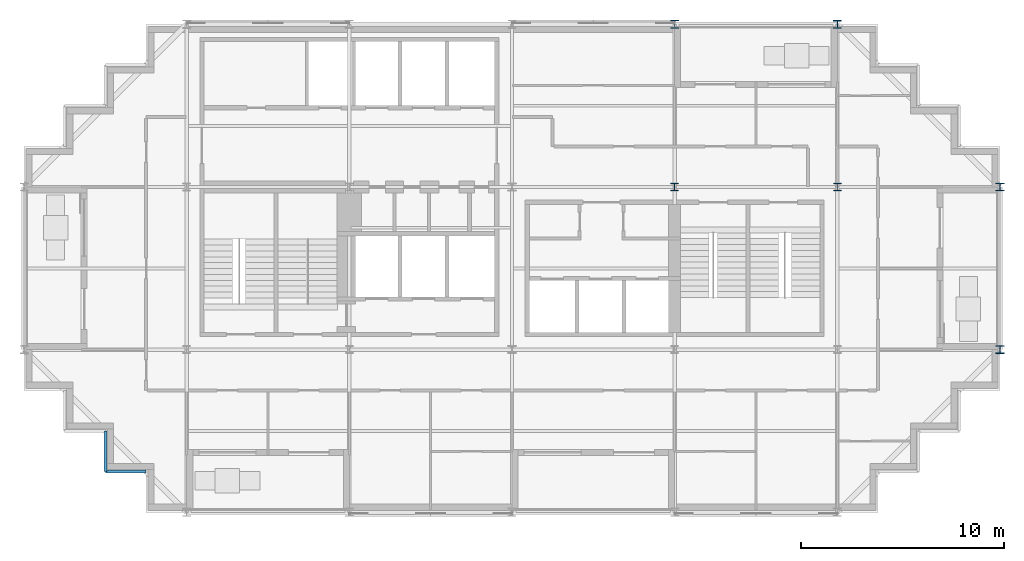
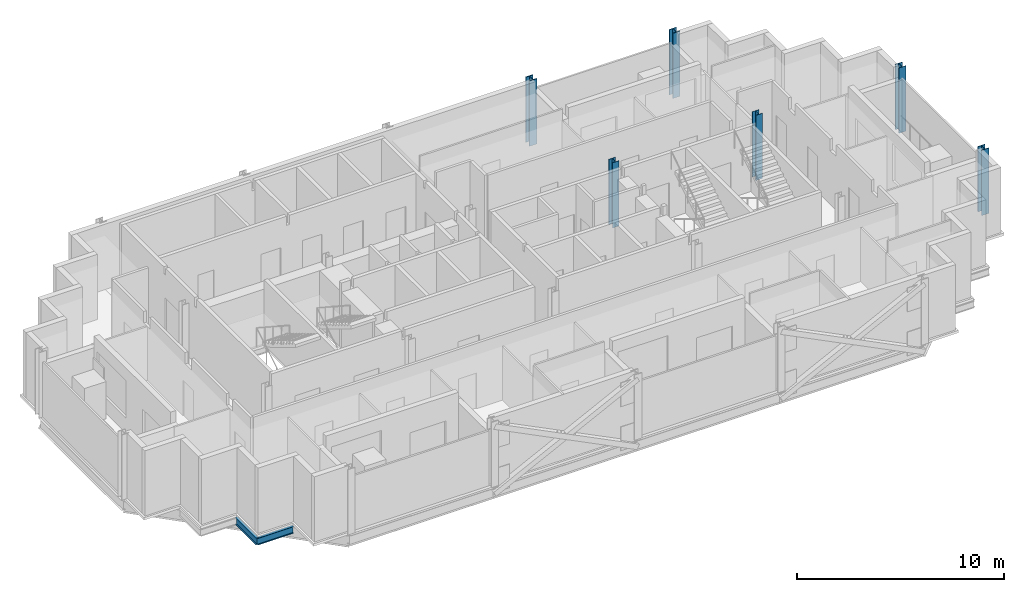
# One storey, part 2 of 10: 6 columns, 2 beams.
"""IFC4 building model written with IfcOpenShell, lengths in metres."""

from ifc_helpers import new_model, si_unit, direction, frame, origin, origin_2d, place, context, subcontext, project, spatial, i_section, extrude, material, material_profile, profile_set, type_object, element, save


model = new_model("IFC4")

# Units and contexts
model_context = context("Model", 3, precision=1e-05, world=origin(), true_north=direction((0.0, 1.0)))
body_context = subcontext(model_context, "Body", "Model", "MODEL_VIEW")
ifc_project = project(units=[si_unit("LENGTHUNIT", "METRE"), si_unit("AREAUNIT", "SQUARE_METRE"), si_unit("VOLUMEUNIT", "CUBIC_METRE"), si_unit("PLANEANGLEUNIT", "RADIAN"), si_unit("MASSUNIT", "GRAM", prefix="KILO")], contexts=[model_context])

# Site, building, storey
site_placement = place(None, origin())
site = spatial("IfcSite", under=ifc_project, at=site_placement, CompositionType="ELEMENT")
building_placement = place(site_placement, origin())
building = spatial("IfcBuilding", under=site, at=building_placement, Name="Immortelle Media Tower", CompositionType="ELEMENT")
storey_placement = place(building_placement, frame((0.0, 0.0, 229.0)))
storey = spatial("IfcBuildingStorey", under=building, at=storey_placement, Name="L49", CompositionType="ELEMENT", Elevation=229.0)

# Columns
ifc_material = material(Name="Steel ASTM A992 Gr 50", Category="steel")
ifc_material_profile_1 = material_profile(ifc_material, i_section(OverallWidth=0.373046875, OverallDepth=0.367919921875, WebThickness=0.014892578125, FlangeThickness=0.02392578125, at=origin_2d()), Name="W14x120")
ifc_profile_set_1 = profile_set([ifc_material_profile_1], Name="Steel ASTM A992 Gr 50")
column_type_1 = type_object("IfcColumnType", Name="W14x120 column", PredefinedType="COLUMN", material=ifc_profile_set_1)
for number, where, z_axis, x_axis, name in (
    (1, (32.0, 16.0, 0.0), (0.0, 0.0, 1.0), (1.0, 0.0, 0.0), "Column 5/C"),
    (2, (40.0, 16.0, 0.0), (0.0, 0.0, 1.0), (1.0, 0.0, 0.0), "Column 6/C"),
):
    element("IfcColumn", number, at=place(storey_placement, frame(where, z_axis=z_axis, x_axis=x_axis)), inside=storey, type_object=column_type_1, Name=name, PredefinedType="COLUMN", context=body_context, shape_type="SweptSolid", body=[
        extrude(i_section(OverallWidth=0.373046875, OverallDepth=0.367919921875, WebThickness=0.014892578125, FlangeThickness=0.02392578125, at=origin_2d()), origin(), (0.0, 0.0, 1.0), 3.85009765625),
    ])
ifc_material_profile_2 = material_profile(ifc_material, i_section(OverallWidth=0.39892578125, OverallDepth=0.385986328125, WebThickness=0.02099609375, FlangeThickness=0.032958984375, at=origin_2d()), Name="W14x176")
ifc_profile_set_2 = profile_set([ifc_material_profile_2], Name="Steel ASTM A992 Gr 50")
column_type_2 = type_object("IfcColumnType", Name="W14x176 column", PredefinedType="COLUMN", material=ifc_profile_set_2)
for number, where, z_axis, x_axis, name in (
    (3, (40.0, 24.0, 0.0), (0.0, 0.0, 1.0), (1.0, 0.0, 0.0), "Column 6/D"),
    (4, (48.0, 8.0, 0.0), (0.0, 0.0, 1.0), (1.0, 0.0, 0.0), "Column 7/B"),
    (5, (48.0, 16.0, 0.0), (0.0, 0.0, 1.0), (1.0, 0.0, 0.0), "Column 7/C"),
):
    element("IfcColumn", number, at=place(storey_placement, frame(where, z_axis=z_axis, x_axis=x_axis)), inside=storey, type_object=column_type_2, Name=name, PredefinedType="COLUMN", context=body_context, shape_type="SweptSolid", body=[
        extrude(i_section(OverallWidth=0.39892578125, OverallDepth=0.385986328125, WebThickness=0.02099609375, FlangeThickness=0.032958984375, at=origin_2d()), origin(), (0.0, 0.0, 1.0), 3.85009765625),
    ])
ifc_material_profile_3 = material_profile(ifc_material, i_section(OverallWidth=0.406005859375, OverallDepth=0.4169921875, WebThickness=0.030029296875, FlangeThickness=0.048095703125, at=origin_2d()), Name="W14x257")
ifc_profile_set_3 = profile_set([ifc_material_profile_3], Name="Steel ASTM A992 Gr 50")
column_type_3 = type_object("IfcColumnType", Name="W14x257 column", PredefinedType="COLUMN", material=ifc_profile_set_3)
column_placement = place(storey_placement, frame((32.0, 24.0, 0.0), z_axis=(0.0, 0.0, 1.0), x_axis=(1.0, 0.0, 0.0)))
element("IfcColumn", 6, at=column_placement, inside=storey, type_object=column_type_3, Name="Column 5/D", PredefinedType="COLUMN", context=body_context, shape_type="SweptSolid", body=[
    extrude(i_section(OverallWidth=0.406005859375, OverallDepth=0.4169921875, WebThickness=0.030029296875, FlangeThickness=0.048095703125, at=origin_2d()), origin(), (0.0, 0.0, 1.0), 3.85009765625),
])

# Beams
ifc_material_profile_4 = material_profile(ifc_material, i_section(OverallWidth=0.139892578125, OverallDepth=0.404052734375, WebThickness=0.007080078125, FlangeThickness=0.010986328125, at=origin_2d()), Name="W16x31")
ifc_profile_set_4 = profile_set([ifc_material_profile_4], Name="Steel ASTM A992 Gr 50")
beam_type = type_object("IfcBeamType", Name="W16x31 serration edge beam", PredefinedType="SPANDREL", material=ifc_profile_set_4)
for number, where, z_axis, x_axis, name in (
    (7, (6.0, 2.0, -0.35205078125), (-1.0, 0.0, 0.0), (0.0, -1.0, 0.0), "Corner edge beam 1 at 1/A"),
    (8, (4.0, 2.0, -0.35205078125), (0.0, 1.0, 0.0), (-1.0, 0.0, 0.0), "Corner edge beam 2 at 1/A"),
):
    element("IfcBeam", number, at=place(storey_placement, frame(where, z_axis=z_axis, x_axis=x_axis)), inside=storey, type_object=beam_type, Name=name, PredefinedType="SPANDREL", context=body_context, shape_type="SweptSolid", body=[
        extrude(i_section(OverallWidth=0.139892578125, OverallDepth=0.404052734375, WebThickness=0.007080078125, FlangeThickness=0.010986328125, at=origin_2d()), origin(), (0.0, 0.0, 1.0), 2.0),
    ])

save(model, "model.ifc")
